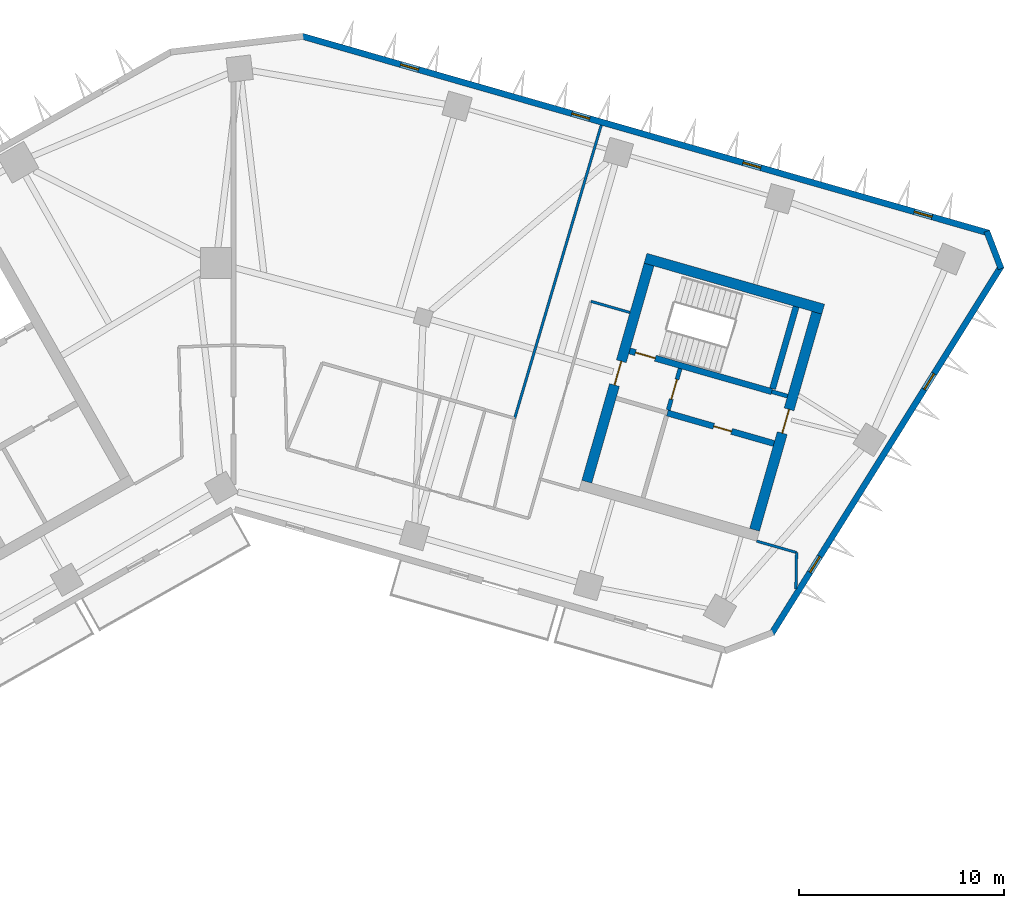
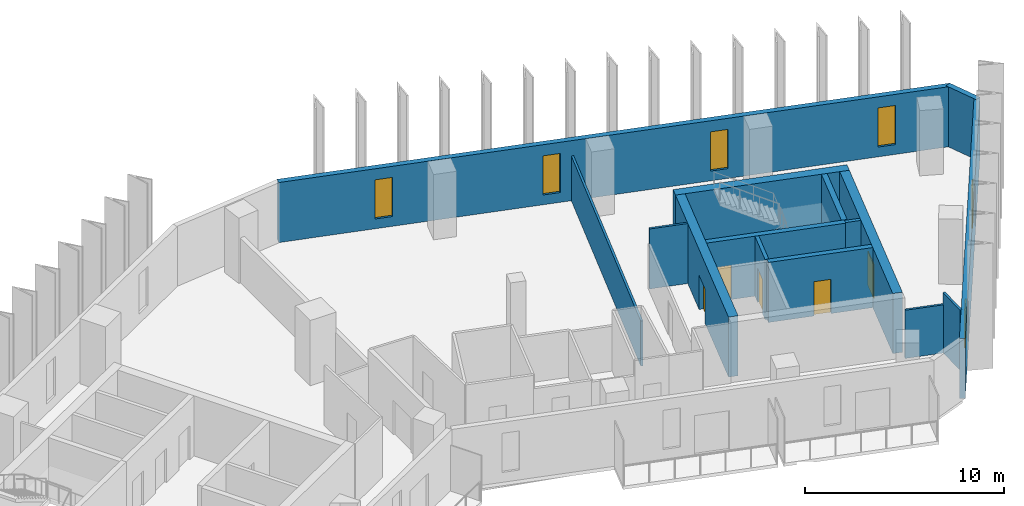
# One storey, part 6 of 10: 15 walls, 6 windows, 5 doors, 11 openings.
"""IFC4 building model written with IfcOpenShell, lengths in metres."""

from ifc_helpers import new_model, si_unit, direction, frame, frame_2d, origin, place, context, subcontext, project, spatial, rectangle, extrude, material, layer, layer_set, type_object, element, fill, save


model = new_model("IFC4")

# Units and contexts
model_context = context("Model", 3, precision=1e-05, world=origin(), true_north=direction((0.0, 1.0)))
body_context = subcontext(model_context, "Body", "Model", "MODEL_VIEW")
ifc_project = project(units=[si_unit("LENGTHUNIT", "METRE"), si_unit("AREAUNIT", "SQUARE_METRE"), si_unit("VOLUMEUNIT", "CUBIC_METRE"), si_unit("PLANEANGLEUNIT", "RADIAN"), si_unit("MASSUNIT", "GRAM", prefix="KILO")], contexts=[model_context])

# Site, building, storey
site_placement = place(None, origin())
site = spatial("IfcSite", under=ifc_project, at=site_placement, CompositionType="ELEMENT")
building_placement = place(site_placement, origin())
building = spatial("IfcBuilding", under=site, at=building_placement, Name="Binnacle Exchange Tower", CompositionType="ELEMENT")
storey_placement = place(building_placement, frame((0.0, 0.0, 170.89990234375)))
storey = spatial("IfcBuildingStorey", under=building, at=storey_placement, Name="L36", CompositionType="ELEMENT", Elevation=170.89990234375)

# Wall, opening, door
ifc_material_1 = material(Name="Concrete C70/85", Category="concrete")
ifc_layer_1 = layer(ifc_material_1, 0.300048828125)
ifc_layer_set_1 = layer_set([ifc_layer_1], Name="Core wall - front 300")
wall_type_1 = type_object("IfcWallType", Name="Core wall - front 300", PredefinedType="SOLIDWALL", material=ifc_layer_set_1)
wall_1_placement = place(storey_placement, frame((21.130859375, 52.6923828125, 0.0), z_axis=(0.0, 0.0, 1.0), x_axis=(0.961271043721, -0.27560475414, 0.0)))
wall_1 = element("IfcWall", 1, at=wall_1_placement, inside=storey, type_object=wall_type_1, Name="Core wall CRWD3", PredefinedType="SOLIDWALL", context=body_context, shape_type="SweptSolid", body=[
    extrude(rectangle(XDim=5.400146484375, YDim=0.300048828125, at=frame_2d((2.7001953125, 0.0))), origin(), (0.0, 0.0, 1.0), 3.68017578125),
])
opening_1_placement = place(wall_1_placement, frame((2.35009765625, 0.0, 0.0)))
opening_1 = element("IfcOpeningElement", 2, at=opening_1_placement, cuts=wall_1, Name="Opening DD10", PredefinedType="OPENING", context=body_context, shape_type="SweptSolid", body=[
    extrude(rectangle(XDim=0.89990234375, YDim=2.10009765625, at=frame_2d((0.449951171875, 1.050048828125))), frame((0.0, 0.159912109375, 0.0), z_axis=(0.0, -1.0, 0.0), x_axis=(1.0, 0.0, 0.0)), (0.0, 0.0, 1.0), 0.320068359375),
])
ifc_material_2 = material(Name="Steel door leaf", Category="steel")
door_type_1 = type_object("IfcDoorType", Name="Fire door 900", OperationType="NOTDEFINED", PredefinedType="DOOR", material=ifc_material_2)
door_1_placement = place(opening_1_placement, frame((0.89990234375, 0.0, 0.0), z_axis=(0.0, 0.0, 1.0), x_axis=(-1.0, 0.0, 0.0)))
door_1 = element("IfcDoor", 3, at=door_1_placement, inside=storey, type_object=door_type_1, Name="Core room door PANTRY", OperationType="SINGLE_SWING_LEFT", OverallHeight=2.10009765625, OverallWidth=0.89990234375, PredefinedType="DOOR", context=body_context, shape_type="SweptSolid", body=[
    extrude(rectangle(XDim=0.89990234375, YDim=2.10009765625, at=frame_2d((0.449951171875, 1.050048828125))), frame((0.0, 0.02490234375, 0.0), z_axis=(0.0, -1.0, 0.0), x_axis=(1.0, 0.0, 0.0)), (0.0, 0.0, 1.0), 0.050048828125),
])
fill(opening_1, door_1)

# Wall
ifc_layer_2 = layer(ifc_material_1, 0.5)
ifc_layer_set_2 = layer_set([ifc_layer_2], Name="Core wall - outer 500")
wall_type_2 = type_object("IfcWallType", Name="Core wall - outer 500", PredefinedType="SOLIDWALL", material=ifc_layer_set_2)
wall_2_placement = place(storey_placement, frame((20.066650390625, 60.227783203125, 0.0), z_axis=(0.0, 0.0, 1.0), x_axis=(0.96126248289, -0.275634611374, 0.0)))
element("IfcWall", 4, at=wall_2_placement, inside=storey, type_object=wall_type_2, Name="Core wall CRWD6", PredefinedType="SOLIDWALL", context=body_context, shape_type="SweptSolid", body=[
    extrude(rectangle(XDim=9.0, YDim=0.5, at=frame_2d((4.5, 0.0))), origin(), (0.0, 0.0, 1.0), 3.68017578125),
])

# Wall, opening, door
wall_3_placement = place(storey_placement, frame((17.2060546875, 49.344482421875, 0.0), z_axis=(0.0, 0.0, 1.0), x_axis=(0.275632651182, 0.961263044958, 0.0)))
wall_3 = element("IfcWall", 5, at=wall_3_placement, inside=storey, type_object=wall_type_2, Name="Core wall CRWD7", PredefinedType="SOLIDWALL", context=body_context, shape_type="SweptSolid", body=[
    extrude(rectangle(XDim=11.0, YDim=0.5, at=frame_2d((5.5, 0.0))), origin(), (0.0, 0.0, 1.0), 3.68017578125),
])
opening_2_placement = place(wall_3_placement, frame((4.89990234375, 0.0, 0.0)))
opening_2 = element("IfcOpeningElement", 6, at=opening_2_placement, cuts=wall_3, Name="Opening DD5", PredefinedType="OPENING", context=body_context, shape_type="SweptSolid", body=[
    extrude(rectangle(XDim=1.199951171875, YDim=2.10009765625, at=frame_2d((0.60009765625, 1.050048828125))), frame((0.0, 0.260009765625, 0.0), z_axis=(0.0, -1.0, 0.0), x_axis=(1.0, 0.0, 0.0)), (0.0, 0.0, 1.0), 0.52001953125),
])
door_type_2 = type_object("IfcDoorType", Name="Fire door 1200", OperationType="NOTDEFINED", PredefinedType="DOOR", material=ifc_material_2)
door_2_placement = place(opening_2_placement, origin())
door_2 = element("IfcDoor", 7, at=door_2_placement, inside=storey, type_object=door_type_2, Name="Vestibule exit door VEST-W", OperationType="SINGLE_SWING_LEFT", OverallHeight=2.10009765625, OverallWidth=1.199951171875, PredefinedType="DOOR", context=body_context, shape_type="SweptSolid", body=[
    extrude(rectangle(XDim=1.199951171875, YDim=2.10009765625, at=frame_2d((0.60009765625, 1.050048828125))), frame((0.0, 0.02490234375, 0.0), z_axis=(0.0, -1.0, 0.0), x_axis=(1.0, 0.0, 0.0)), (0.0, 0.0, 1.0), 0.050048828125),
])
fill(opening_2, door_2)

wall_4_placement = place(storey_placement, frame((25.376708984375, 47.001708984375, 0.0), z_axis=(0.0, 0.0, 1.0), x_axis=(0.275632651182, 0.961263044958, 0.0)))
wall_4 = element("IfcWall", 8, at=wall_4_placement, inside=storey, type_object=wall_type_2, Name="Core wall CRWD12", PredefinedType="SOLIDWALL", context=body_context, shape_type="SweptSolid", body=[
    extrude(rectangle(XDim=11.0, YDim=0.5, at=frame_2d((5.5, 0.0))), origin(), (0.0, 0.0, 1.0), 3.68017578125),
])
opening_3_placement = place(wall_4_placement, frame((4.89990234375, 0.0, 0.0)))
opening_3 = element("IfcOpeningElement", 9, at=opening_3_placement, cuts=wall_4, Name="Opening DD6", PredefinedType="OPENING", context=body_context, shape_type="SweptSolid", body=[
    extrude(rectangle(XDim=1.199951171875, YDim=2.10009765625, at=frame_2d((0.60009765625, 1.050048828125))), frame((0.0, 0.260009765625, 0.0), z_axis=(0.0, -1.0, 0.0), x_axis=(1.0, 0.0, 0.0)), (0.0, 0.0, 1.0), 0.52001953125),
])
door_3_placement = place(opening_3_placement, frame((1.199951171875, 0.0, 0.0), z_axis=(0.0, 0.0, 1.0), x_axis=(-1.0, 0.0, 0.0)))
door_3 = element("IfcDoor", 10, at=door_3_placement, inside=storey, type_object=door_type_2, Name="Core passage exit door", OperationType="SINGLE_SWING_RIGHT", OverallHeight=2.10009765625, OverallWidth=1.199951171875, PredefinedType="DOOR", context=body_context, shape_type="SweptSolid", body=[
    extrude(rectangle(XDim=1.199951171875, YDim=2.10009765625, at=frame_2d((0.60009765625, 1.050048828125))), frame((0.0, 0.02490234375, 0.0), z_axis=(0.0, -1.0, 0.0), x_axis=(1.0, 0.0, 0.0)), (0.0, 0.0, 1.0), 0.050048828125),
])
fill(opening_3, door_3)

ifc_layer_3 = layer(ifc_material_1, 0.300048828125)
ifc_layer_set_3 = layer_set([ifc_layer_3], Name="Core wall - stair 300")
wall_type_3 = type_object("IfcWallType", Name="Core wall - stair 300", PredefinedType="SOLIDWALL", material=ifc_layer_set_3)
wall_5_placement = place(storey_placement, frame((19.293212890625, 55.71630859375, 0.0), z_axis=(0.0, 0.0, 1.0), x_axis=(0.96125862491, -0.275648065539, 0.0)))
wall_5 = element("IfcWall", 11, at=wall_5_placement, inside=storey, type_object=wall_type_3, Name="Core wall CRWD4", PredefinedType="SOLIDWALL", context=body_context, shape_type="SweptSolid", body=[
    extrude(rectangle(XDim=7.199951171875, YDim=0.300048828125, at=frame_2d((3.60009765625, 0.0))), origin(), (0.0, 0.0, 1.0), 3.68017578125),
])
opening_4_placement = place(wall_5_placement, frame((0.300048828125, 0.0, 0.0)))
opening_4 = element("IfcOpeningElement", 12, at=opening_4_placement, cuts=wall_5, Name="Opening DD1", PredefinedType="OPENING", context=body_context, shape_type="SweptSolid", body=[
    extrude(rectangle(XDim=1.0, YDim=2.10009765625, at=frame_2d((0.5, 1.050048828125))), frame((0.0, 0.159912109375, 0.0), z_axis=(0.0, -1.0, 0.0), x_axis=(1.0, 0.0, 0.0)), (0.0, 0.0, 1.0), 0.320068359375),
])
door_type_3 = type_object("IfcDoorType", Name="Fire door 1000", OperationType="NOTDEFINED", PredefinedType="DOOR", material=ifc_material_2)
door_4_placement = place(opening_4_placement, origin())
door_4 = element("IfcDoor", 13, at=door_4_placement, inside=storey, type_object=door_type_3, Name="Stair door ST-D1", OperationType="SINGLE_SWING_LEFT", OverallHeight=2.10009765625, OverallWidth=1.0, PredefinedType="DOOR", context=body_context, shape_type="SweptSolid", body=[
    extrude(rectangle(XDim=1.0, YDim=2.10009765625, at=frame_2d((0.5, 1.050048828125))), frame((0.0, 0.02490234375, 0.0), z_axis=(0.0, -1.0, 0.0), x_axis=(1.0, 0.0, 0.0)), (0.0, 0.0, 1.0), 0.050048828125),
])
fill(opening_4, door_4)

# Wall
wall_6_placement = place(storey_placement, frame((26.255615234375, 53.875732421875, 0.0), z_axis=(0.0, 0.0, 1.0), x_axis=(0.275614546295, 0.961268236171, 0.0)))
element("IfcWall", 14, at=wall_6_placement, inside=storey, type_object=wall_type_3, Name="Core wall CRWD11", PredefinedType="SOLIDWALL", context=body_context, shape_type="SweptSolid", body=[
    extrude(rectangle(XDim=4.14990234375, YDim=0.300048828125, at=frame_2d((2.074951171875, 0.0))), origin(), (0.0, 0.0, 1.0), 3.68017578125),
])

# Wall, openings, windows
ifc_material_3 = material(Name="Bronze aluminium cladding", Category="aluminium")
ifc_layer_4 = layer(ifc_material_3, 0.300048828125)
ifc_layer_set_4 = layer_set([ifc_layer_4], Name="External wall - spandrel 300")
wall_type_4 = type_object("IfcWallType", Name="External wall - spandrel 300", PredefinedType="STANDARD", material=ifc_layer_set_4)
wall_7_placement = place(storey_placement, frame((37.39892578125, 59.850830078125, 0.0), z_axis=(0.0, 0.0, 1.0), x_axis=(-0.529919986982, -0.848047644532, 0.0)))
wall_7 = element("IfcWall", 15, at=wall_7_placement, inside=storey, type_object=wall_type_4, Name="External wall EW-G04 L36", PredefinedType="STANDARD", context=body_context, shape_type="SweptSolid", body=[
    extrude(rectangle(XDim=21.125, YDim=0.300048828125, at=frame_2d((10.5625, 0.0))), origin(), (0.0, 0.0, 1.0), 3.68017578125),
])
opening_5_placement = place(wall_7_placement, frame((16.687255859375, 0.0, 0.60009765625)))
opening_5 = element("IfcOpeningElement", 16, at=opening_5_placement, cuts=wall_7, Name="Opening WS3", PredefinedType="OPENING", context=body_context, shape_type="SweptSolid", body=[
    extrude(rectangle(XDim=0.89990234375, YDim=2.39990234375, at=frame_2d((0.449951171875, 1.199951171875))), frame((0.0, 0.159912109375, 0.0), z_axis=(0.0, -1.0, 0.0), x_axis=(1.0, 0.0, 0.0)), (0.0, 0.0, 1.0), 0.320068359375),
])
opening_6_placement = place(wall_7_placement, frame((6.187255859375, 0.0, 0.60009765625)))
opening_6 = element("IfcOpeningElement", 17, at=opening_6_placement, cuts=wall_7, Name="Opening WS3", PredefinedType="OPENING", context=body_context, shape_type="SweptSolid", body=[
    extrude(rectangle(XDim=0.89990234375, YDim=2.39990234375, at=frame_2d((0.449951171875, 1.199951171875))), frame((0.0, 0.159912109375, 0.0), z_axis=(0.0, -1.0, 0.0), x_axis=(1.0, 0.0, 0.0)), (0.0, 0.0, 1.0), 0.320068359375),
])
ifc_material_4 = material(Name="Bronze anodised aluminium frame", Category="aluminium")
window_type = type_object("IfcWindowType", Name="WS3 WINDOW 900x2400", PartitioningType="SINGLE_PANEL", PredefinedType="WINDOW", material=ifc_material_4)
window_1_placement = place(opening_5_placement, origin())
window_1 = element("IfcWindow", 18, at=window_1_placement, inside=storey, type_object=window_type, Name="Window WS3 L36", OverallHeight=2.39990234375, OverallWidth=0.89990234375, PartitioningType="SINGLE_PANEL", PredefinedType="WINDOW", context=body_context, shape_type="SweptSolid", body=[
    extrude(rectangle(XDim=0.89990234375, YDim=2.39990234375, at=frame_2d((0.449951171875, 1.199951171875))), frame((0.0, 0.030029296875, 0.0), z_axis=(0.0, -1.0, 0.0), x_axis=(1.0, 0.0, 0.0)), (0.0, 0.0, 1.0), 0.06005859375),
])
fill(opening_5, window_1)
window_2_placement = place(opening_6_placement, origin())
window_2 = element("IfcWindow", 19, at=window_2_placement, inside=storey, type_object=window_type, Name="Window WS3 L36", OverallHeight=2.39990234375, OverallWidth=0.89990234375, PartitioningType="SINGLE_PANEL", PredefinedType="WINDOW", context=body_context, shape_type="SweptSolid", body=[
    extrude(rectangle(XDim=0.89990234375, YDim=2.39990234375, at=frame_2d((0.449951171875, 1.199951171875))), frame((0.0, 0.030029296875, 0.0), z_axis=(0.0, -1.0, 0.0), x_axis=(1.0, 0.0, 0.0)), (0.0, 0.0, 1.0), 0.06005859375),
])
fill(opening_6, window_2)

# Wall
wall_8_placement = place(storey_placement, frame((36.685546875, 61.542724609375, 0.0), z_axis=(0.0, 0.0, 1.0), x_axis=(0.358284408222, -0.933612490718, 0.0)))
element("IfcWall", 20, at=wall_8_placement, inside=storey, type_object=wall_type_4, Name="External wall EW-G05 L36", PredefinedType="STANDARD", context=body_context, shape_type="SweptSolid", body=[
    extrude(rectangle(XDim=1.955078125, YDim=0.300048828125, at=frame_2d((0.9775390625, 0.0))), origin(), (0.0, 0.0, 1.0), 3.68017578125),
])

# Wall, openings, windows
wall_9_placement = place(storey_placement, frame((3.33544921875, 71.043701171875, 0.0), z_axis=(0.0, 0.0, 1.0), x_axis=(0.961261395375, -0.275638404002, 0.0)))
wall_9 = element("IfcWall", 21, at=wall_9_placement, inside=storey, type_object=wall_type_4, Name="External wall EW-G06 L36", PredefinedType="STANDARD", context=body_context, shape_type="SweptSolid", body=[
    extrude(rectangle(XDim=34.796630859375, YDim=0.300048828125, at=frame_2d((17.3984375, 0.0))), origin(), (0.0, 0.0, 1.0), 3.68017578125),
])
opening_7_placement = place(wall_9_placement, frame((31.01953125, 0.0, 0.60009765625)))
opening_7 = element("IfcOpeningElement", 22, at=opening_7_placement, cuts=wall_9, Name="Opening WS3", PredefinedType="OPENING", context=body_context, shape_type="SweptSolid", body=[
    extrude(rectangle(XDim=0.89990234375, YDim=2.39990234375, at=frame_2d((0.449951171875, 1.199951171875))), frame((0.0, 0.159912109375, 0.0), z_axis=(0.0, -1.0, 0.0), x_axis=(1.0, 0.0, 0.0)), (0.0, 0.0, 1.0), 0.320068359375),
])
opening_8_placement = place(wall_9_placement, frame((22.3466796875, 0.0, 0.60009765625)))
opening_8 = element("IfcOpeningElement", 23, at=opening_8_placement, cuts=wall_9, Name="Opening WS3", PredefinedType="OPENING", context=body_context, shape_type="SweptSolid", body=[
    extrude(rectangle(XDim=0.89990234375, YDim=2.39990234375, at=frame_2d((0.449951171875, 1.199951171875))), frame((0.0, 0.159912109375, 0.0), z_axis=(0.0, -1.0, 0.0), x_axis=(1.0, 0.0, 0.0)), (0.0, 0.0, 1.0), 0.320068359375),
])
opening_9_placement = place(wall_9_placement, frame((13.673583984375, 0.0, 0.60009765625)))
opening_9 = element("IfcOpeningElement", 24, at=opening_9_placement, cuts=wall_9, Name="Opening WS3", PredefinedType="OPENING", context=body_context, shape_type="SweptSolid", body=[
    extrude(rectangle(XDim=0.89990234375, YDim=2.39990234375, at=frame_2d((0.449951171875, 1.199951171875))), frame((0.0, 0.159912109375, 0.0), z_axis=(0.0, -1.0, 0.0), x_axis=(1.0, 0.0, 0.0)), (0.0, 0.0, 1.0), 0.320068359375),
])
opening_10_placement = place(wall_9_placement, frame((5.000732421875, 0.0, 0.60009765625)))
opening_10 = element("IfcOpeningElement", 25, at=opening_10_placement, cuts=wall_9, Name="Opening WS3", PredefinedType="OPENING", context=body_context, shape_type="SweptSolid", body=[
    extrude(rectangle(XDim=0.89990234375, YDim=2.39990234375, at=frame_2d((0.449951171875, 1.199951171875))), frame((0.0, 0.159912109375, 0.0), z_axis=(0.0, -1.0, 0.0), x_axis=(1.0, 0.0, 0.0)), (0.0, 0.0, 1.0), 0.320068359375),
])
window_3_placement = place(opening_7_placement, origin())
window_3 = element("IfcWindow", 26, at=window_3_placement, inside=storey, type_object=window_type, Name="Window WS3 L36", OverallHeight=2.39990234375, OverallWidth=0.89990234375, PartitioningType="SINGLE_PANEL", PredefinedType="WINDOW", context=body_context, shape_type="SweptSolid", body=[
    extrude(rectangle(XDim=0.89990234375, YDim=2.39990234375, at=frame_2d((0.449951171875, 1.199951171875))), frame((0.0, 0.030029296875, 0.0), z_axis=(0.0, -1.0, 0.0), x_axis=(1.0, 0.0, 0.0)), (0.0, 0.0, 1.0), 0.06005859375),
])
fill(opening_7, window_3)
window_4_placement = place(opening_8_placement, origin())
window_4 = element("IfcWindow", 27, at=window_4_placement, inside=storey, type_object=window_type, Name="Window WS3 L36", OverallHeight=2.39990234375, OverallWidth=0.89990234375, PartitioningType="SINGLE_PANEL", PredefinedType="WINDOW", context=body_context, shape_type="SweptSolid", body=[
    extrude(rectangle(XDim=0.89990234375, YDim=2.39990234375, at=frame_2d((0.449951171875, 1.199951171875))), frame((0.0, 0.030029296875, 0.0), z_axis=(0.0, -1.0, 0.0), x_axis=(1.0, 0.0, 0.0)), (0.0, 0.0, 1.0), 0.06005859375),
])
fill(opening_8, window_4)
window_5_placement = place(opening_9_placement, origin())
window_5 = element("IfcWindow", 28, at=window_5_placement, inside=storey, type_object=window_type, Name="Window WS3 L36", OverallHeight=2.39990234375, OverallWidth=0.89990234375, PartitioningType="SINGLE_PANEL", PredefinedType="WINDOW", context=body_context, shape_type="SweptSolid", body=[
    extrude(rectangle(XDim=0.89990234375, YDim=2.39990234375, at=frame_2d((0.449951171875, 1.199951171875))), frame((0.0, 0.030029296875, 0.0), z_axis=(0.0, -1.0, 0.0), x_axis=(1.0, 0.0, 0.0)), (0.0, 0.0, 1.0), 0.06005859375),
])
fill(opening_9, window_5)
window_6_placement = place(opening_10_placement, origin())
window_6 = element("IfcWindow", 29, at=window_6_placement, inside=storey, type_object=window_type, Name="Window WS3 L36", OverallHeight=2.39990234375, OverallWidth=0.89990234375, PartitioningType="SINGLE_PANEL", PredefinedType="WINDOW", context=body_context, shape_type="SweptSolid", body=[
    extrude(rectangle(XDim=0.89990234375, YDim=2.39990234375, at=frame_2d((0.449951171875, 1.199951171875))), frame((0.0, 0.030029296875, 0.0), z_axis=(0.0, -1.0, 0.0), x_axis=(1.0, 0.0, 0.0)), (0.0, 0.0, 1.0), 0.06005859375),
])
fill(opening_10, window_6)

# Wall, opening, door
ifc_material_5 = material(Name="Masonry block wall", Category="masonry")
ifc_layer_5 = layer(ifc_material_5, 0.199951171875)
ifc_layer_set_5 = layer_set([ifc_layer_5], Name="Fire wall - vestibule 200")
wall_type_5 = type_object("IfcWallType", Name="Fire wall - vestibule 200", PredefinedType="PARTITIONING", material=ifc_layer_set_5)
wall_10_placement = place(storey_placement, frame((21.172119140625, 52.836669921875, 0.0), z_axis=(0.0, 0.0, 1.0), x_axis=(0.275657676022, 0.961255868981, 0.0)))
wall_10 = element("IfcWall", 30, at=wall_10_placement, inside=storey, type_object=wall_type_5, Name="Core wall CRWD9", PredefinedType="PARTITIONING", context=body_context, shape_type="SweptSolid", body=[
    extrude(rectangle(XDim=2.099853515625, YDim=0.199951171875, at=frame_2d((1.0498046875, 0.0))), origin(), (0.0, 0.0, 1.0), 3.68017578125),
])
opening_11_placement = place(wall_10_placement, frame((0.550048828125, 0.0, 0.0)))
opening_11 = element("IfcOpeningElement", 31, at=opening_11_placement, cuts=wall_10, Name="Opening DD3", PredefinedType="OPENING", context=body_context, shape_type="SweptSolid", body=[
    extrude(rectangle(XDim=1.0, YDim=2.10009765625, at=frame_2d((0.5, 1.050048828125))), frame((0.0, 0.10986328125, 0.0), z_axis=(0.0, -1.0, 0.0), x_axis=(1.0, 0.0, 0.0)), (0.0, 0.0, 1.0), 0.219970703125),
])
door_5_placement = place(opening_11_placement, origin())
door_5 = element("IfcDoor", 32, at=door_5_placement, inside=storey, type_object=door_type_3, Name="Vestibule door VEST-W", OperationType="SINGLE_SWING_RIGHT", OverallHeight=2.10009765625, OverallWidth=1.0, PredefinedType="DOOR", context=body_context, shape_type="SweptSolid", body=[
    extrude(rectangle(XDim=1.0, YDim=2.10009765625, at=frame_2d((0.5, 1.050048828125))), frame((0.0, 0.02490234375, 0.0), z_axis=(0.0, -1.0, 0.0), x_axis=(1.0, 0.0, 0.0)), (0.0, 0.0, 1.0), 0.050048828125),
])
fill(opening_11, door_5)

# Walls
ifc_material_6 = material(Name="Gypsum partition")
ifc_layer_6 = layer(ifc_material_6, 0.125)
ifc_layer_set_6 = layer_set([ifc_layer_6], Name="Partition 125")
wall_type_6 = type_object("IfcWallType", Name="Partition 125", PredefinedType="PARTITIONING", material=ifc_layer_set_6)
wall_11_placement = place(storey_placement, frame((13.694091796875, 52.431884765625, 0.0), z_axis=(0.0, 0.0, 1.0), x_axis=(0.28327517645, 0.959038672008, 0.0)))
element("IfcWall", 33, at=wall_11_placement, inside=storey, type_object=wall_type_6, Name="Partition W27", PredefinedType="PARTITIONING", context=body_context, shape_type="SweptSolid", body=[
    extrude(rectangle(XDim=14.885986328125, YDim=0.125, at=frame_2d((7.44287109375, 0.0))), origin(), (0.0, 0.0, 1.0), 2.748046875),
])
wall_12_placement = place(storey_placement, frame((17.408935546875, 58.12890625, 0.0), z_axis=(0.0, 0.0, 1.0), x_axis=(0.961253165474, -0.275667103345, 0.0)))
element("IfcWall", 34, at=wall_12_placement, inside=storey, type_object=wall_type_6, Name="Partition W31", PredefinedType="PARTITIONING", context=body_context, shape_type="SweptSolid", body=[
    extrude(rectangle(XDim=1.976806640625, YDim=0.125, at=frame_2d((0.98828125, 0.0))), origin(), (0.0, 0.0, 1.0), 3.68017578125),
])
wall_13_placement = place(storey_placement, frame((25.47900390625, 46.451904296875, 0.0), z_axis=(0.0, 0.0, 1.0), x_axis=(0.961245725795, -0.275693044238, 0.0)))
element("IfcWall", 35, at=wall_13_placement, inside=storey, type_object=wall_type_6, Name="Partition W32", PredefinedType="PARTITIONING", context=body_context, shape_type="SweptSolid", body=[
    extrude(rectangle(XDim=2.0234375, YDim=0.125, at=frame_2d((1.01171875, 0.0))), origin(), (0.0, 0.0, 1.0), 2.9521484375),
])
wall_14_placement = place(storey_placement, frame((27.39111328125, 44.116943359375, 0.0), z_axis=(0.0, 0.0, 1.0), x_axis=(0.018543314717, 0.999828057958, 0.0)))
element("IfcWall", 36, at=wall_14_placement, inside=storey, type_object=wall_type_6, Name="Partition W33", PredefinedType="PARTITIONING", context=body_context, shape_type="SweptSolid", body=[
    extrude(rectangle(XDim=1.77734375, YDim=0.125, at=frame_2d((0.888671875, 0.0))), origin(), (0.0, 0.0, 1.0), 3.68017578125),
])
ifc_layer_7 = layer(ifc_material_5, 0.199951171875)
ifc_layer_set_7 = layer_set([ifc_layer_7], Name="Riser wall 200")
wall_type_7 = type_object("IfcWallType", Name="Riser wall 200", PredefinedType="SOLIDWALL", material=ifc_layer_set_7)
wall_15_placement = place(storey_placement, frame((26.214111328125, 53.731689453125, 0.0), z_axis=(0.0, 0.0, 1.0), x_axis=(0.961200870072, -0.275849392554, 0.0)))
element("IfcWall", 37, at=wall_15_placement, inside=storey, type_object=wall_type_7, Name="Core wall CRWD5", PredefinedType="SOLIDWALL", context=body_context, shape_type="SweptSolid", body=[
    extrude(rectangle(XDim=0.800048828125, YDim=0.199951171875, at=frame_2d((0.39990234375, 0.0))), origin(), (0.0, 0.0, 1.0), 3.68017578125),
])

save(model, "model.ifc")
